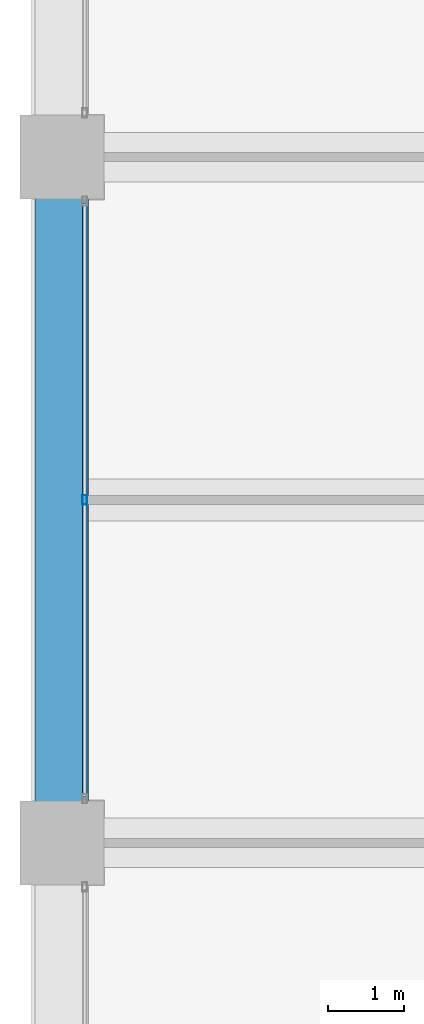
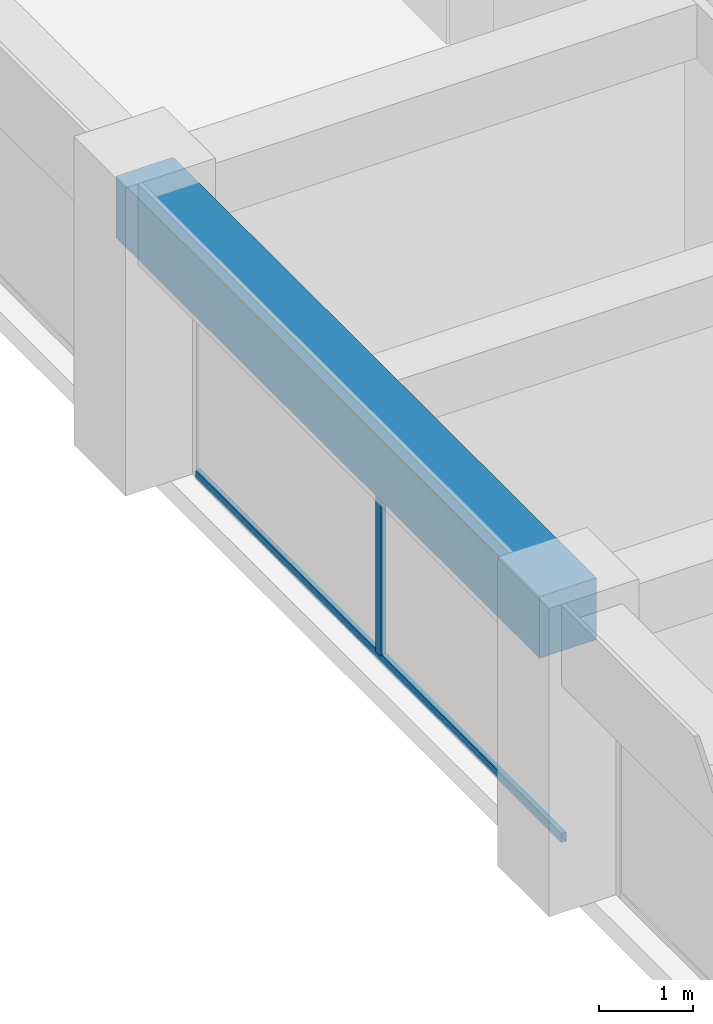
# One storey, part 14 of 45: 2 members, 1 beam, 1 element without a shape of its own.
"""IFC4 building model written with IfcOpenShell, lengths in metres."""

import ifcopenshell
import ifcopenshell.guid

model = None  # the IFC model being written
_history = None  # IfcOwnerHistory: only IFC2X3 demands one
_inside = {}  # id of a spatial element -> (the spatial element, [elements in it])
_under = {}  # id of a project, library or spatial element -> (it, [spatial elements below it])
_declared = {}  # id of a project -> (the project, [libraries it declares])
_typed = {}  # id of a type object -> (the type object, [elements of that type])
_made_of = {}  # id of a material, layer set ... -> (it, [elements and type objects made of it])


def new_model(schema):
    """Start an empty IFC model of exactly this schema.

    Asked for "IFC4X3", IfcOpenShell would pick the latest addendum, in which some entities
    have other attributes; the version numbers below select the first issue.
    IFC2X3 requires an IfcOwnerHistory on every rooted entity: one is made here for all.
    """
    global model, _history
    if schema == "IFC4X3":
        model = ifcopenshell.file(schema_version=(4, 3, 0, 0))
    else:
        model = ifcopenshell.file(schema=schema)
    _inside.clear()
    _under.clear()
    _declared.clear()
    _typed.clear()
    _made_of.clear()
    _history = None
    if model.schema == "IFC2X3":
        org = make("IfcOrganization", Name="unknown")
        user = make(
            "IfcPersonAndOrganization",
            ThePerson=make("IfcPerson", FamilyName="unknown"),
            TheOrganization=org,
        )
        app = make(
            "IfcApplication",
            ApplicationDeveloper=org,
            Version="unknown",
            ApplicationFullName="unknown",
            ApplicationIdentifier="unknown",
        )
        _history = make(
            "IfcOwnerHistory",
            OwningUser=user,
            OwningApplication=app,
            ChangeAction="ADDED",
            CreationDate=0,
        )
    return model


def make(cls, **values):
    """One entity of the class cls with the attributes given. An attribute that is None is left unset."""
    return model.create_entity(
        cls, **{name: value for name, value in values.items() if value is not None}
    )


def rooted(cls, **values):
    """An entity with a GlobalId (a new one), such as an element, a storey or a relation."""
    return make(cls, GlobalId=ifcopenshell.guid.new(), OwnerHistory=_history, **values)


def si_unit(unit_type, name, prefix=None):
    """IfcSIUnit, for example si_unit("LENGTHUNIT", "METRE", prefix="MILLI")."""
    return make("IfcSIUnit", UnitType=unit_type, Prefix=prefix, Name=name)


def assignment(units):
    """IfcUnitAssignment: the units of a project."""
    return None if units is None else make("IfcUnitAssignment", Units=units)


def point(xyz):
    """IfcCartesianPoint."""
    return None if xyz is None else make("IfcCartesianPoint", Coordinates=xyz)


def direction(xyz):
    """IfcDirection."""
    return None if xyz is None else make("IfcDirection", DirectionRatios=xyz)


def frame(location, z_axis=None, x_axis=None):
    """IfcAxis2Placement3D, a coordinate frame: its origin and axes. An axis left out is left unset."""
    return make(
        "IfcAxis2Placement3D",
        Location=point(location),
        Axis=direction(z_axis),
        RefDirection=direction(x_axis),
    )


def frame_2d(location, x_axis=None):
    """IfcAxis2Placement2D, a coordinate frame in the plane: its origin and x axis."""
    return make(
        "IfcAxis2Placement2D", Location=point(location), RefDirection=direction(x_axis)
    )


def origin():
    """The frame at (0, 0, 0) with its axes left unset."""
    return frame((0.0, 0.0, 0.0))


def origin_2d():
    """The frame at (0, 0) in the plane with its x axis left unset."""
    return frame_2d((0.0, 0.0))


def place(relative_to, where):
    """IfcLocalPlacement: puts the frame where relative to a parent placement (None: the world)."""
    return make(
        "IfcLocalPlacement", PlacementRelTo=relative_to, RelativePlacement=where
    )


def context(
    kind, dimensions, precision=None, world=None, true_north=None, identifier=None
):
    """IfcGeometricRepresentationContext, for example the 3D "Model" context."""
    return make(
        "IfcGeometricRepresentationContext",
        ContextIdentifier=identifier,
        ContextType=kind,
        CoordinateSpaceDimension=dimensions,
        Precision=precision,
        WorldCoordinateSystem=world,
        TrueNorth=true_north,
    )


def subcontext(parent, identifier, kind, view, scale=None):
    """IfcGeometricRepresentationSubContext, for example "Body" below "Model"."""
    return make(
        "IfcGeometricRepresentationSubContext",
        ContextIdentifier=identifier,
        ContextType=kind,
        ParentContext=parent,
        TargetScale=scale,
        TargetView=view,
    )


def project(units=None, contexts=None):
    """IfcProject with its units and contexts."""
    return rooted(
        "IfcProject",
        Name="project",
        RepresentationContexts=contexts,
        UnitsInContext=assignment(units),
    )


def spatial(cls, under=None, at=None, **own):
    """A site, building, storey or space (cls), placed at a placement, below another one or the project."""
    s = rooted(cls, ObjectPlacement=at, **own)
    if under is not None:
        _under.setdefault(under.id(), (under, []))[1].append(s)
    return s


def profile(cls, at=None, kind="AREA", **sizes):
    """A parametric profile (cls). Its sizes go by their IFC names, for example OverallWidth=200.0."""
    return make(cls, ProfileType=kind, Position=at, **sizes)


def rectangle(**sizes):
    """IfcRectangleProfileDef."""
    return profile("IfcRectangleProfileDef", **sizes)


def hollow_rectangle(**sizes):
    """IfcRectangleHollowProfileDef."""
    return profile("IfcRectangleHollowProfileDef", **sizes)


def extrude(swept, where, along, depth):
    """IfcExtrudedAreaSolid: the profile swept, set in the frame where, extruded along a direction by depth."""
    return make(
        "IfcExtrudedAreaSolid",
        SweptArea=swept,
        Position=where,
        ExtrudedDirection=direction(along),
        Depth=depth,
    )


def shape(context_of_items, identifier, shape_type, items):
    """IfcShapeRepresentation: the items that make up one representation, for example the "Body"."""
    return make(
        "IfcShapeRepresentation",
        ContextOfItems=context_of_items,
        RepresentationIdentifier=identifier,
        RepresentationType=shape_type,
        Items=items,
    )


def material(Name=None, Category=None):
    """IfcMaterial."""
    return make("IfcMaterial", Name=Name, Category=Category)


def material_profile(
    of_material, cross_section, Name=None, Category=None, Priority=None
):
    """IfcMaterialProfile: a cross section and its material."""
    return make(
        "IfcMaterialProfile",
        Name=Name,
        Material=of_material,
        Profile=cross_section,
        Priority=Priority,
        Category=Category,
    )


def profile_set(profiles, Name=None, composite=None):
    """IfcMaterialProfileSet."""
    return make(
        "IfcMaterialProfileSet",
        Name=Name,
        MaterialProfiles=profiles,
        CompositeProfile=composite,
    )


def made_of(thing, what):
    """Note that an element or type object is made of a material, layer set ...; save() writes the relation."""
    if what is not None:
        _made_of.setdefault(what.id(), (what, []))[1].append(thing)
    return thing


def type_object(cls, material=None, **own):
    """A type object (cls), such as IfcWallType, which elements share."""
    return made_of(rooted(cls, **own), material)


def element(
    cls,
    number,
    at=None,
    inside=None,
    cuts=None,
    type_object=None,
    material=None,
    context=None,
    identifier="Body",
    shape_type=None,
    held_by="IfcProductDefinitionShape",
    body=None,
    shapes=None,
    **own,
):
    """One element of the class cls, such as IfcWall. Its Tag is "e" and its number.

    at: its placement. inside: the storey or other place that contains it. cuts: it is an
    opening in that element (IfcRelVoidsElement). A single representation is given by context,
    identifier, shape_type and body (its items); several are given by shapes. held_by: the class
    of the entity that holds the representations. save() writes the other relations.
    """
    e = rooted(cls, Tag="e%d" % number, ObjectPlacement=at, **own)
    if body is not None:
        shapes = [shape(context, identifier, shape_type, body)]
    if shapes is not None:
        e.Representation = make(held_by, Representations=shapes)
    if inside is not None:
        _inside.setdefault(inside.id(), (inside, []))[1].append(e)
    if cuts is not None:
        rooted(
            "IfcRelVoidsElement", RelatingBuildingElement=cuts, RelatedOpeningElement=e
        )
    if type_object is not None:
        _typed.setdefault(type_object.id(), (type_object, []))[1].append(e)
    return made_of(e, material)


def aggregate(whole, parts):
    """IfcRelAggregates: a whole, such as a stair, and the parts it consists of."""
    return rooted("IfcRelAggregates", RelatingObject=whole, RelatedObjects=parts)


def save(model, path):
    """Write the relations noted so far, then the file.

    IfcRelAggregates (storeys below a building ...), IfcRelContainedInSpatialStructure (elements
    in a storey), IfcRelDefinesByType, IfcRelAssociatesMaterial and IfcRelDeclares: one each for
    every whole, place, type object, material and project.
    """
    for whole, parts in _under.values():
        aggregate(whole, parts)
    for where, things in _inside.values():
        rooted(
            "IfcRelContainedInSpatialStructure",
            RelatedElements=things,
            RelatingStructure=where,
        )
    for kind, things in _typed.values():
        rooted("IfcRelDefinesByType", RelatedObjects=things, RelatingType=kind)
    for what, things in _made_of.values():
        rooted("IfcRelAssociatesMaterial", RelatedObjects=things, RelatingMaterial=what)
    for by, libraries in _declared.values():
        rooted("IfcRelDeclares", RelatingContext=by, RelatedDefinitions=libraries)
    model.write(path)


model = new_model("IFC4")

# Units and contexts
model_context = context("Model", 3, precision=1e-05, world=origin(), true_north=direction((0.0, 1.0)))
body_context = subcontext(model_context, "Body", "Model", "MODEL_VIEW")
ifc_project = project(units=[si_unit("LENGTHUNIT", "METRE"), si_unit("AREAUNIT", "SQUARE_METRE"), si_unit("VOLUMEUNIT", "CUBIC_METRE"), si_unit("PLANEANGLEUNIT", "RADIAN"), si_unit("MASSUNIT", "GRAM", prefix="KILO")], contexts=[model_context])

# Site, building, storey
site_placement = place(None, origin())
site = spatial("IfcSite", under=ifc_project, at=site_placement, CompositionType="ELEMENT")
building_placement = place(site_placement, origin())
building = spatial("IfcBuilding", under=site, at=building_placement, Name="Zorevar Civic Tower", CompositionType="ELEMENT")
storey_placement = place(building_placement, frame((0.0, 0.0, 303.39990234375)))
storey = spatial("IfcBuildingStorey", under=building, at=storey_placement, Name="L74", CompositionType="ELEMENT", Elevation=303.39990234375)

# Curtain wall, members
ifc_material_1 = material(Name="Dark grey solar-control glass in black aluminium frame", Category="aluminium")
curtain_wall_type = type_object("IfcCurtainWallType", Name="Curtain wall CW5 top zone", PredefinedType="NOTDEFINED", material=ifc_material_1)
curtain_wall_placement = place(storey_placement, origin())
curtain_wall = element("IfcCurtainWall", 1, at=curtain_wall_placement, inside=storey, type_object=curtain_wall_type, Name="CW5 L74", PredefinedType="NOTDEFINED")
ifc_material_2 = material(Name="Aluminium, black anodised", Category="aluminium")
ifc_material_profile_1 = material_profile(ifc_material_2, hollow_rectangle(XDim=0.06005859375, YDim=0.1201171875, WallThickness=0.0029296875, at=origin_2d()), Name="AL 120x60x3")
ifc_profile_set_1 = profile_set([ifc_material_profile_1], Name="Aluminium, black anodised")
member_type_1 = type_object("IfcMemberType", Name="CW5 mullion AL 120x60x3", PredefinedType="MULLION", material=ifc_profile_set_1)
member_1_placement = place(storey_placement, frame((9.300048828125, 22.5, 0.06005859375), z_axis=(0.0, 0.0, 1.0), x_axis=(-1.0, 0.0, 0.0)))
member_1 = element("IfcMember", 2, at=member_1_placement, type_object=member_type_1, Name="CW5 mullion 2", PredefinedType="MULLION", context=body_context, shape_type="SweptSolid", body=[
    extrude(hollow_rectangle(XDim=0.06005859375, YDim=0.1201171875, WallThickness=0.0029296875, at=origin_2d()), origin(), (0.0, 0.0, 1.0), 2.89013671875),
])
ifc_material_3 = material(Name="Aluminium, black anodised", Category="aluminium")
ifc_material_profile_2 = material_profile(ifc_material_3, hollow_rectangle(XDim=0.06005859375, YDim=0.1201171875, WallThickness=0.0029296875, at=origin_2d()), Name="AL 120x60x3")
ifc_profile_set_2 = profile_set([ifc_material_profile_2], Name="Aluminium, black anodised")
member_type_2 = type_object("IfcMemberType", Name="CW5 transom AL 120x60x3", PredefinedType="USERDEFINED", material=ifc_profile_set_2)
member_2_placement = place(storey_placement, frame((9.300048828125, 18.610107421875, 0.030029296875), z_axis=(0.0, 1.0, 0.0), x_axis=(-1.0, 0.0, 0.0)))
member_2 = element("IfcMember", 3, at=member_2_placement, type_object=member_type_2, Name="CW5 sill transom", ObjectType="TRANSOM", PredefinedType="USERDEFINED", context=body_context, shape_type="SweptSolid", body=[
    extrude(hollow_rectangle(XDim=0.06005859375, YDim=0.1201171875, WallThickness=0.0029296875, at=origin_2d()), origin(), (0.0, 0.0, 1.0), 7.77978515625),
])
aggregate(curtain_wall, [member_1, member_2])

# Beam
ifc_material_4 = material(Name="Concrete C50/60", Category="concrete")
ifc_material_profile_3 = material_profile(ifc_material_4, rectangle(XDim=0.699951171875, YDim=0.800048828125, at=origin_2d()), Name="RC 700x800")
ifc_profile_set_3 = profile_set([ifc_material_profile_3], Name="Concrete C50/60")
beam_type = type_object("IfcBeamType", Name="Edge beam RC 700x800", PredefinedType="SPANDREL", material=ifc_profile_set_3)
beam_placement = place(storey_placement, frame((9.0, 18.0, 3.35009765625), z_axis=(0.0, 1.0, 0.0), x_axis=(-1.0, 0.0, 0.0)))
element("IfcBeam", 4, at=beam_placement, inside=storey, type_object=beam_type, Name="Edge beam L75", PredefinedType="SPANDREL", context=body_context, shape_type="SweptSolid", body=[
    extrude(rectangle(XDim=0.699951171875, YDim=0.800048828125, at=origin_2d()), origin(), (0.0, 0.0, 1.0), 9.0),
])

save(model, "model.ifc")
